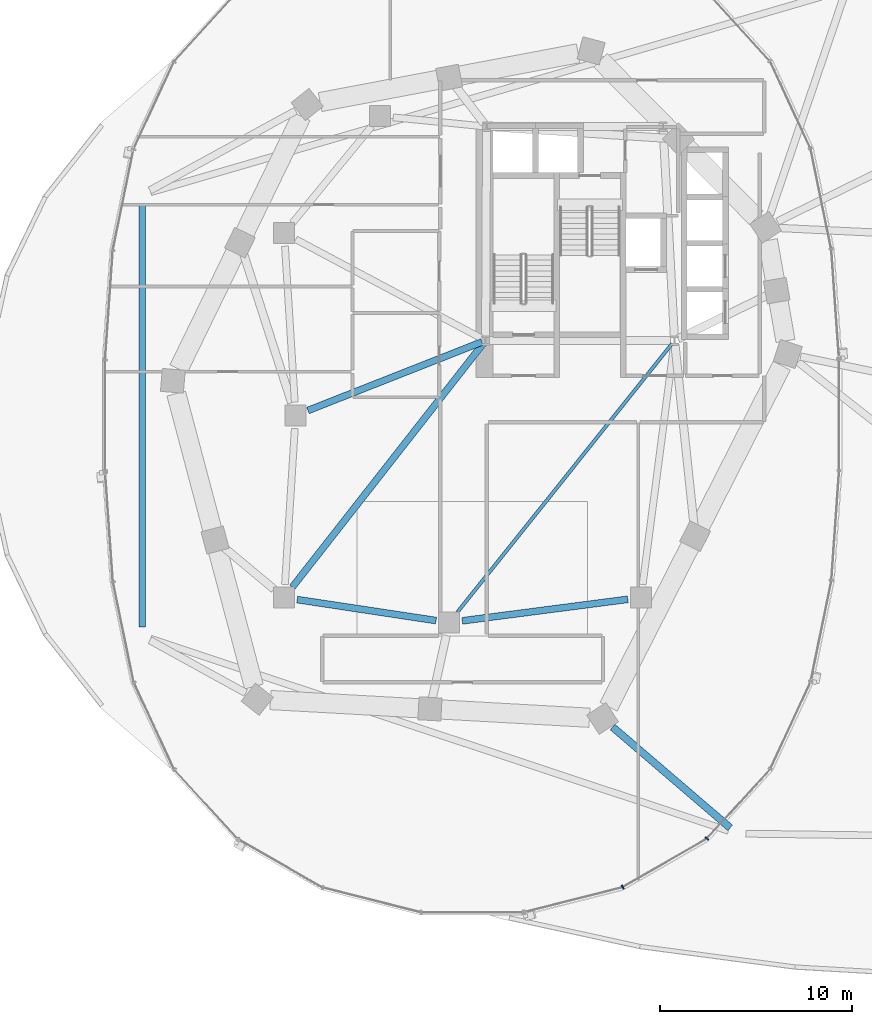
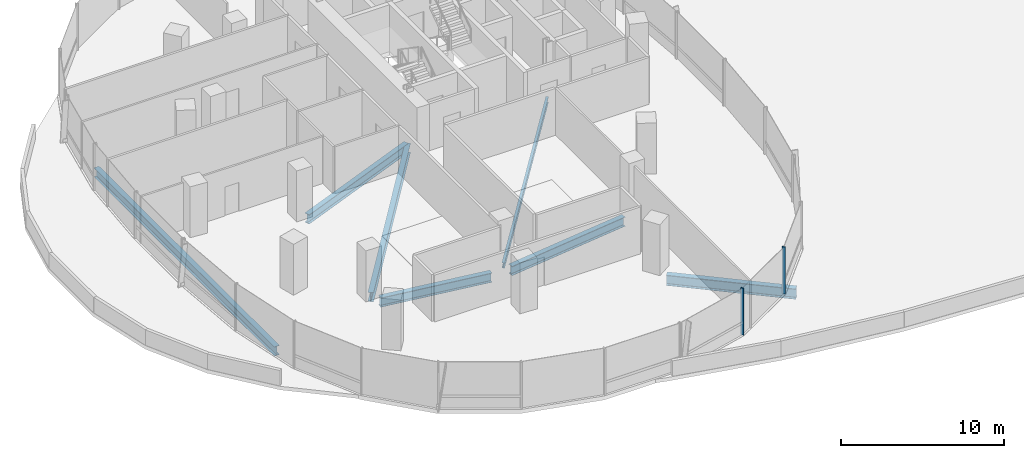
# One storey, part 3 of 28: 7 beams, 2 members, 1 element without a shape of its own.
"""IFC4 building model written with IfcOpenShell, lengths in metres."""

from ifc_helpers import new_model, si_unit, direction, frame, origin, origin_2d, place, context, subcontext, project, spatial, rectangle, i_section, extrude, material, material_profile, profile_set, type_object, element, aggregate, save


model = new_model("IFC4")

# Units and contexts
model_context = context("Model", 3, precision=1e-05, world=origin(), true_north=direction((0.0, 1.0)))
body_context = subcontext(model_context, "Body", "Model", "MODEL_VIEW")
ifc_project = project(units=[si_unit("LENGTHUNIT", "METRE"), si_unit("AREAUNIT", "SQUARE_METRE"), si_unit("VOLUMEUNIT", "CUBIC_METRE"), si_unit("PLANEANGLEUNIT", "RADIAN"), si_unit("MASSUNIT", "GRAM", prefix="KILO"), si_unit("THERMODYNAMICTEMPERATUREUNIT", "KELVIN"), si_unit("POWERUNIT", "WATT")], contexts=[model_context])

# Site, building, storey
site_placement = place(None, origin())
site = spatial("IfcSite", under=ifc_project, at=site_placement, CompositionType="ELEMENT")
building_placement = place(site_placement, origin())
building = spatial("IfcBuilding", under=site, at=building_placement, Name="Cundina Bronze Exchange", CompositionType="ELEMENT")
storey_placement = place(building_placement, frame((0.0, 0.0, 24.0)))
storey = spatial("IfcBuildingStorey", under=building, at=storey_placement, Name="L05", CompositionType="ELEMENT", Elevation=24.0)

# Beams
ifc_material_1 = material(Name="Steel ASTM A992 Grade 50", Category="steel")
ifc_material_profile_1 = material_profile(ifc_material_1, i_section(OverallWidth=0.178955078125, OverallDepth=0.409912109375, WebThickness=0.0087890625, FlangeThickness=0.014404296875, FilletRadius=0.010986328125, at=origin_2d()), Name="W16X45", Category="steel")
ifc_profile_set_1 = profile_set([ifc_material_profile_1], Name="Steel ASTM A992 Grade 50")
beam_type_1 = type_object("IfcBeamType", Name="BM-JST-W16", PredefinedType="JOIST", material=ifc_profile_set_1)
beam_1_placement = place(storey_placement, frame((-21.577392578125, 3.740478515625, -0.5048828125), z_axis=(-0.624374458297, -0.781125172957, 0.0), x_axis=(0.781125172957, -0.624374458297, 0.0)))
element("IfcBeam", 1, at=beam_1_placement, inside=storey, type_object=beam_type_1, Name="L05 W Interior Core-to-Ring Joist 2", PredefinedType="JOIST", context=body_context, shape_type="SweptSolid", body=[
    extrude(i_section(OverallWidth=0.178955078125, OverallDepth=0.409912109375, WebThickness=0.0087890625, FlangeThickness=0.014404296875, FilletRadius=0.010986328125, at=origin_2d()), origin(), (0.0, 0.0, 1.0), 17.927001953125),
])
ifc_material_profile_2 = material_profile(ifc_material_1, i_section(OverallWidth=0.35498046875, OverallDepth=0.695068359375, WebThickness=0.015380859375, FlangeThickness=0.02490234375, FilletRadius=0.01806640625, at=origin_2d()), Name="W27X146", Category="steel")
ifc_profile_set_2 = profile_set([ifc_material_profile_2], Name="Steel ASTM A992 Grade 50")
beam_type_2 = type_object("IfcBeamType", Name="BM-RING-W27", PredefinedType="USERDEFINED", material=ifc_profile_set_2)
beam_2_placement = place(storey_placement, frame((-41.11962890625, -9.602783203125, -0.6474609375), z_axis=(0.988763496177, -0.149488289268, 0.0), x_axis=(0.149488289268, 0.988763496177, 0.0)))
element("IfcBeam", 2, at=beam_2_placement, inside=storey, type_object=beam_type_2, Name="L05 W Inner Structural Ring Girder 05", ObjectType="GIRDER", PredefinedType="USERDEFINED", context=body_context, shape_type="SweptSolid", body=[
    extrude(i_section(OverallWidth=0.35498046875, OverallDepth=0.695068359375, WebThickness=0.015380859375, FlangeThickness=0.02490234375, FilletRadius=0.01806640625, at=origin_2d()), origin(), (0.0, 0.0, 1.0), 7.321533203125),
])
beam_3_placement = place(storey_placement, frame((-32.517578125, -10.711181640625, -0.6474609375), z_axis=(0.991655975758, 0.128912473185, 0.0), x_axis=(-0.128912473185, 0.991655975758, 0.0)))
element("IfcBeam", 3, at=beam_3_placement, inside=storey, type_object=beam_type_2, Name="L05 W Inner Structural Ring Girder 06", ObjectType="GIRDER", PredefinedType="USERDEFINED", context=body_context, shape_type="SweptSolid", body=[
    extrude(i_section(OverallWidth=0.35498046875, OverallDepth=0.695068359375, WebThickness=0.015380859375, FlangeThickness=0.02490234375, FilletRadius=0.01806640625, at=origin_2d()), origin(), (0.0, 0.0, 1.0), 8.7080078125),
])
beam_4_placement = place(storey_placement, frame((-31.48974609375, 3.8251953125, -0.6474609375), z_axis=(-0.930410463214, -0.366519262715, 0.0), x_axis=(0.366519262715, -0.930410463214, 0.0)))
element("IfcBeam", 4, at=beam_4_placement, inside=storey, type_object=beam_type_2, Name="L05 W Core-to-Waist Tie Beam 1", ObjectType="GIRDER", PredefinedType="USERDEFINED", context=body_context, shape_type="SweptSolid", body=[
    extrude(i_section(OverallWidth=0.35498046875, OverallDepth=0.695068359375, WebThickness=0.015380859375, FlangeThickness=0.02490234375, FilletRadius=0.01806640625, at=origin_2d()), origin(), (0.0, 0.0, 1.0), 9.74853515625),
])
beam_5_placement = place(storey_placement, frame((-31.42578125, 3.739501953125, -0.6474609375), z_axis=(-0.616784362929, -0.787132167839, 0.0), x_axis=(0.787132167839, -0.616784362929, 0.0)))
element("IfcBeam", 5, at=beam_5_placement, inside=storey, type_object=beam_type_2, Name="L05 W Core-to-Waist Tie Beam 3", ObjectType="GIRDER", PredefinedType="USERDEFINED", context=body_context, shape_type="SweptSolid", body=[
    extrude(i_section(OverallWidth=0.35498046875, OverallDepth=0.695068359375, WebThickness=0.015380859375, FlangeThickness=0.02490234375, FilletRadius=0.01806640625, at=origin_2d()), origin(), (0.0, 0.0, 1.0), 16.132080078125),
])
beam_6_placement = place(storey_placement, frame((-49.199951171875, 11.037109375, -0.652587890625), z_axis=(0.0, -1.0, 0.0), x_axis=(1.0, 0.0, 0.0)))
element("IfcBeam", 6, at=beam_6_placement, inside=storey, type_object=beam_type_2, Name="L05 Podium Roof Edge Girder 01", ObjectType="GIRDER", PredefinedType="USERDEFINED", context=body_context, shape_type="SweptSolid", body=[
    extrude(i_section(OverallWidth=0.35498046875, OverallDepth=0.695068359375, WebThickness=0.015380859375, FlangeThickness=0.02490234375, FilletRadius=0.01806640625, at=origin_2d()), origin(), (0.0, 0.0, 1.0), 22.07421875),
])
ifc_material_profile_3 = material_profile(ifc_material_1, i_section(OverallWidth=0.381103515625, OverallDepth=0.77294921875, WebThickness=0.0166015625, FlangeThickness=0.027099609375, FilletRadius=0.01904296875, at=origin_2d()), Name="W30X173", Category="steel")
ifc_profile_set_3 = profile_set([ifc_material_profile_3], Name="Steel ASTM A992 Grade 50")
beam_type_3 = type_object("IfcBeamType", Name="BM-RING-W30", PredefinedType="USERDEFINED", material=ifc_profile_set_3)
beam_7_placement = place(storey_placement, frame((-18.551513671875, -21.498779296875, -0.69140625), z_axis=(-0.759248058703, 0.650801340929, 0.0), x_axis=(-0.650801340929, -0.759248058703, 0.0)))
element("IfcBeam", 7, at=beam_7_placement, inside=storey, type_object=beam_type_3, Name="L05 Podium Colonnade Tie Beam 06", ObjectType="GIRDER", PredefinedType="USERDEFINED", context=body_context, shape_type="SweptSolid", body=[
    extrude(i_section(OverallWidth=0.381103515625, OverallDepth=0.77294921875, WebThickness=0.0166015625, FlangeThickness=0.027099609375, FilletRadius=0.01904296875, at=origin_2d()), origin(), (0.0, 0.0, 1.0), 8.068359375),
])

# Curtain wall, members
ifc_material_2 = material(Name="Anodised Bronze Aluminium 6063-T6", Category="aluminium")
curtain_wall_type = type_object("IfcCurtainWallType", Name="CWS-TRD-LOW", PredefinedType="NOTDEFINED", material=ifc_material_2)
curtain_wall_placement = place(storey_placement, origin())
curtain_wall = element("IfcCurtainWall", 8, at=curtain_wall_placement, inside=storey, type_object=curtain_wall_type, Name="L05 CW-02 Curtain Wall Run CWR-L05-W4", PredefinedType="NOTDEFINED")
ifc_material_profile_4 = material_profile(ifc_material_2, rectangle(XDim=0.074951171875, YDim=0.219970703125, at=origin_2d()), Name="AL75X220", Category="aluminium")
ifc_profile_set_4 = profile_set([ifc_material_profile_4], Name="Anodised Bronze Aluminium 6063-T6")
member_type = type_object("IfcMemberType", Name="CWM-MUL-220", PredefinedType="MULLION", material=ifc_profile_set_4)
member_1_placement = place(storey_placement, frame((-24.151123046875, -24.591064453125, 0.0), z_axis=(0.0, 0.0, 1.0), x_axis=(0.867070701164, 0.498185105339, 0.0)))
member_1 = element("IfcMember", 9, at=member_1_placement, type_object=member_type, Name="CW-02 Mullion 2", PredefinedType="MULLION", context=body_context, shape_type="SweptSolid", body=[
    extrude(rectangle(XDim=0.074951171875, YDim=0.219970703125, at=origin_2d()), origin(), (0.0, 0.0, 1.0), 3.5),
])
member_2_placement = place(storey_placement, frame((-19.760498046875, -22.0576171875, 0.0), z_axis=(0.0, 0.0, 1.0), x_axis=(0.674302387584, 0.738455340626, 0.0)))
member_2 = element("IfcMember", 10, at=member_2_placement, type_object=member_type, Name="CW-02 Mullion 3", PredefinedType="MULLION", context=body_context, shape_type="SweptSolid", body=[
    extrude(rectangle(XDim=0.074951171875, YDim=0.219970703125, at=origin_2d()), origin(), (0.0, 0.0, 1.0), 3.5),
])
aggregate(curtain_wall, [member_1, member_2])

save(model, "model.ifc")
